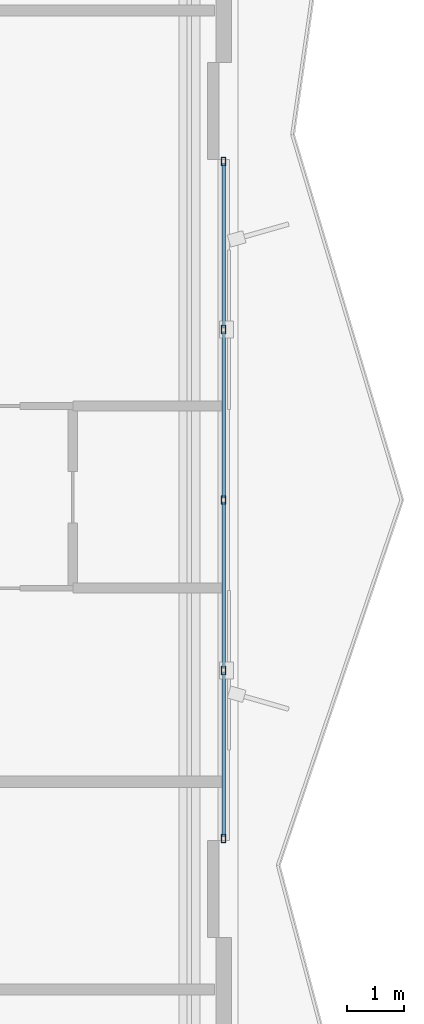
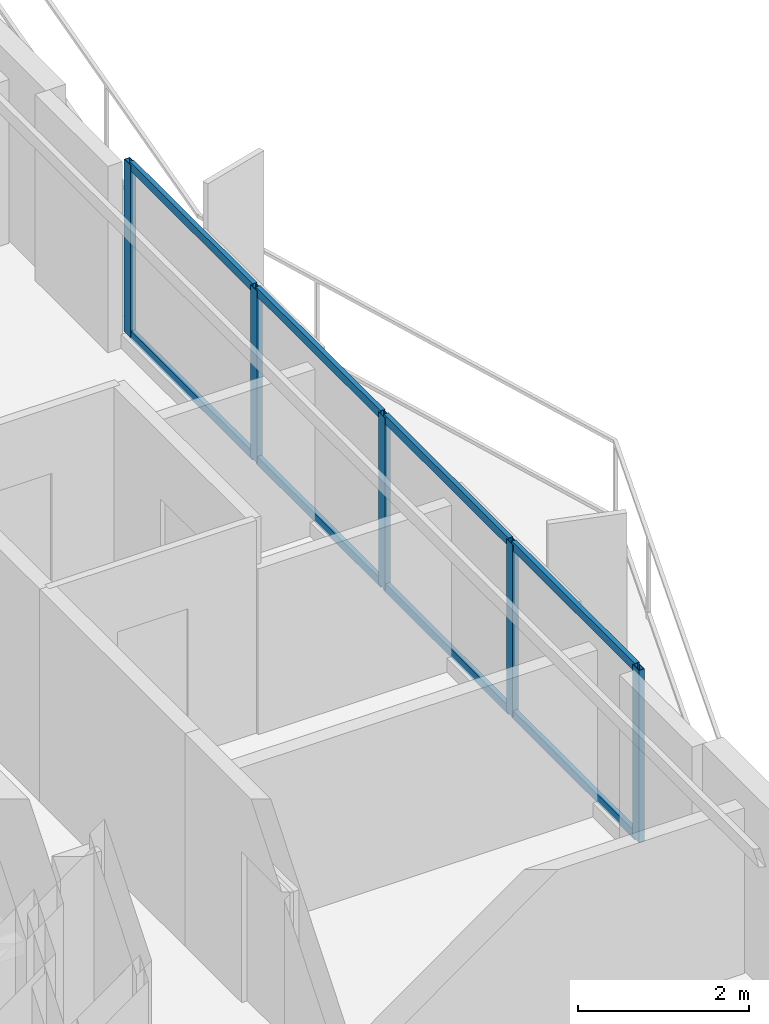
# One storey, part 6 of 18: 13 members, 1 element without a shape of its own.
"""IFC4 building model written with IfcOpenShell, lengths in metres."""

import ifcopenshell
import ifcopenshell.guid

model = None  # the IFC model being written
_history = None  # IfcOwnerHistory: only IFC2X3 demands one
_inside = {}  # id of a spatial element -> (the spatial element, [elements in it])
_under = {}  # id of a project, library or spatial element -> (it, [spatial elements below it])
_declared = {}  # id of a project -> (the project, [libraries it declares])
_typed = {}  # id of a type object -> (the type object, [elements of that type])
_made_of = {}  # id of a material, layer set ... -> (it, [elements and type objects made of it])


def new_model(schema):
    """Start an empty IFC model of exactly this schema.

    Asked for "IFC4X3", IfcOpenShell would pick the latest addendum, in which some entities
    have other attributes; the version numbers below select the first issue.
    IFC2X3 requires an IfcOwnerHistory on every rooted entity: one is made here for all.
    """
    global model, _history
    if schema == "IFC4X3":
        model = ifcopenshell.file(schema_version=(4, 3, 0, 0))
    else:
        model = ifcopenshell.file(schema=schema)
    _inside.clear()
    _under.clear()
    _declared.clear()
    _typed.clear()
    _made_of.clear()
    _history = None
    if model.schema == "IFC2X3":
        org = make("IfcOrganization", Name="unknown")
        user = make(
            "IfcPersonAndOrganization",
            ThePerson=make("IfcPerson", FamilyName="unknown"),
            TheOrganization=org,
        )
        app = make(
            "IfcApplication",
            ApplicationDeveloper=org,
            Version="unknown",
            ApplicationFullName="unknown",
            ApplicationIdentifier="unknown",
        )
        _history = make(
            "IfcOwnerHistory",
            OwningUser=user,
            OwningApplication=app,
            ChangeAction="ADDED",
            CreationDate=0,
        )
    return model


def make(cls, **values):
    """One entity of the class cls with the attributes given. An attribute that is None is left unset."""
    return model.create_entity(
        cls, **{name: value for name, value in values.items() if value is not None}
    )


def rooted(cls, **values):
    """An entity with a GlobalId (a new one), such as an element, a storey or a relation."""
    return make(cls, GlobalId=ifcopenshell.guid.new(), OwnerHistory=_history, **values)


def si_unit(unit_type, name, prefix=None):
    """IfcSIUnit, for example si_unit("LENGTHUNIT", "METRE", prefix="MILLI")."""
    return make("IfcSIUnit", UnitType=unit_type, Prefix=prefix, Name=name)


def assignment(units):
    """IfcUnitAssignment: the units of a project."""
    return None if units is None else make("IfcUnitAssignment", Units=units)


def point(xyz):
    """IfcCartesianPoint."""
    return None if xyz is None else make("IfcCartesianPoint", Coordinates=xyz)


def direction(xyz):
    """IfcDirection."""
    return None if xyz is None else make("IfcDirection", DirectionRatios=xyz)


def frame(location, z_axis=None, x_axis=None):
    """IfcAxis2Placement3D, a coordinate frame: its origin and axes. An axis left out is left unset."""
    return make(
        "IfcAxis2Placement3D",
        Location=point(location),
        Axis=direction(z_axis),
        RefDirection=direction(x_axis),
    )


def frame_2d(location, x_axis=None):
    """IfcAxis2Placement2D, a coordinate frame in the plane: its origin and x axis."""
    return make(
        "IfcAxis2Placement2D", Location=point(location), RefDirection=direction(x_axis)
    )


def origin():
    """The frame at (0, 0, 0) with its axes left unset."""
    return frame((0.0, 0.0, 0.0))


def origin_2d():
    """The frame at (0, 0) in the plane with its x axis left unset."""
    return frame_2d((0.0, 0.0))


def place(relative_to, where):
    """IfcLocalPlacement: puts the frame where relative to a parent placement (None: the world)."""
    return make(
        "IfcLocalPlacement", PlacementRelTo=relative_to, RelativePlacement=where
    )


def context(
    kind, dimensions, precision=None, world=None, true_north=None, identifier=None
):
    """IfcGeometricRepresentationContext, for example the 3D "Model" context."""
    return make(
        "IfcGeometricRepresentationContext",
        ContextIdentifier=identifier,
        ContextType=kind,
        CoordinateSpaceDimension=dimensions,
        Precision=precision,
        WorldCoordinateSystem=world,
        TrueNorth=true_north,
    )


def subcontext(parent, identifier, kind, view, scale=None):
    """IfcGeometricRepresentationSubContext, for example "Body" below "Model"."""
    return make(
        "IfcGeometricRepresentationSubContext",
        ContextIdentifier=identifier,
        ContextType=kind,
        ParentContext=parent,
        TargetScale=scale,
        TargetView=view,
    )


def project(units=None, contexts=None):
    """IfcProject with its units and contexts."""
    return rooted(
        "IfcProject",
        Name="project",
        RepresentationContexts=contexts,
        UnitsInContext=assignment(units),
    )


def spatial(cls, under=None, at=None, **own):
    """A site, building, storey or space (cls), placed at a placement, below another one or the project."""
    s = rooted(cls, ObjectPlacement=at, **own)
    if under is not None:
        _under.setdefault(under.id(), (under, []))[1].append(s)
    return s


def profile(cls, at=None, kind="AREA", **sizes):
    """A parametric profile (cls). Its sizes go by their IFC names, for example OverallWidth=200.0."""
    return make(cls, ProfileType=kind, Position=at, **sizes)


def hollow_rectangle(**sizes):
    """IfcRectangleHollowProfileDef."""
    return profile("IfcRectangleHollowProfileDef", **sizes)


def extrude(swept, where, along, depth):
    """IfcExtrudedAreaSolid: the profile swept, set in the frame where, extruded along a direction by depth."""
    return make(
        "IfcExtrudedAreaSolid",
        SweptArea=swept,
        Position=where,
        ExtrudedDirection=direction(along),
        Depth=depth,
    )


def shape(context_of_items, identifier, shape_type, items):
    """IfcShapeRepresentation: the items that make up one representation, for example the "Body"."""
    return make(
        "IfcShapeRepresentation",
        ContextOfItems=context_of_items,
        RepresentationIdentifier=identifier,
        RepresentationType=shape_type,
        Items=items,
    )


def material(Name=None, Category=None):
    """IfcMaterial."""
    return make("IfcMaterial", Name=Name, Category=Category)


def layer(
    of_material, thickness, ventilated=None, Name=None, Category=None, Priority=None
):
    """IfcMaterialLayer: one layer of a wall or slab, of a material (None: an air gap)."""
    return make(
        "IfcMaterialLayer",
        Material=of_material,
        LayerThickness=thickness,
        IsVentilated=ventilated,
        Name=Name,
        Category=Category,
        Priority=Priority,
    )


def layer_set(layers, Name=None):
    """IfcMaterialLayerSet."""
    return make("IfcMaterialLayerSet", MaterialLayers=layers, LayerSetName=Name)


def material_profile(
    of_material, cross_section, Name=None, Category=None, Priority=None
):
    """IfcMaterialProfile: a cross section and its material."""
    return make(
        "IfcMaterialProfile",
        Name=Name,
        Material=of_material,
        Profile=cross_section,
        Priority=Priority,
        Category=Category,
    )


def profile_set(profiles, Name=None, composite=None):
    """IfcMaterialProfileSet."""
    return make(
        "IfcMaterialProfileSet",
        Name=Name,
        MaterialProfiles=profiles,
        CompositeProfile=composite,
    )


def made_of(thing, what):
    """Note that an element or type object is made of a material, layer set ...; save() writes the relation."""
    if what is not None:
        _made_of.setdefault(what.id(), (what, []))[1].append(thing)
    return thing


def type_object(cls, material=None, **own):
    """A type object (cls), such as IfcWallType, which elements share."""
    return made_of(rooted(cls, **own), material)


def element(
    cls,
    number,
    at=None,
    inside=None,
    cuts=None,
    type_object=None,
    material=None,
    context=None,
    identifier="Body",
    shape_type=None,
    held_by="IfcProductDefinitionShape",
    body=None,
    shapes=None,
    **own,
):
    """One element of the class cls, such as IfcWall. Its Tag is "e" and its number.

    at: its placement. inside: the storey or other place that contains it. cuts: it is an
    opening in that element (IfcRelVoidsElement). A single representation is given by context,
    identifier, shape_type and body (its items); several are given by shapes. held_by: the class
    of the entity that holds the representations. save() writes the other relations.
    """
    e = rooted(cls, Tag="e%d" % number, ObjectPlacement=at, **own)
    if body is not None:
        shapes = [shape(context, identifier, shape_type, body)]
    if shapes is not None:
        e.Representation = make(held_by, Representations=shapes)
    if inside is not None:
        _inside.setdefault(inside.id(), (inside, []))[1].append(e)
    if cuts is not None:
        rooted(
            "IfcRelVoidsElement", RelatingBuildingElement=cuts, RelatedOpeningElement=e
        )
    if type_object is not None:
        _typed.setdefault(type_object.id(), (type_object, []))[1].append(e)
    return made_of(e, material)


def aggregate(whole, parts):
    """IfcRelAggregates: a whole, such as a stair, and the parts it consists of."""
    return rooted("IfcRelAggregates", RelatingObject=whole, RelatedObjects=parts)


def save(model, path):
    """Write the relations noted so far, then the file.

    IfcRelAggregates (storeys below a building ...), IfcRelContainedInSpatialStructure (elements
    in a storey), IfcRelDefinesByType, IfcRelAssociatesMaterial and IfcRelDeclares: one each for
    every whole, place, type object, material and project.
    """
    for whole, parts in _under.values():
        aggregate(whole, parts)
    for where, things in _inside.values():
        rooted(
            "IfcRelContainedInSpatialStructure",
            RelatedElements=things,
            RelatingStructure=where,
        )
    for kind, things in _typed.values():
        rooted("IfcRelDefinesByType", RelatedObjects=things, RelatingType=kind)
    for what, things in _made_of.values():
        rooted("IfcRelAssociatesMaterial", RelatedObjects=things, RelatingMaterial=what)
    for by, libraries in _declared.values():
        rooted("IfcRelDeclares", RelatingContext=by, RelatedDefinitions=libraries)
    model.write(path)


model = new_model("IFC4")

# Units and contexts
model_context = context("Model", 3, precision=1e-05, world=origin(), true_north=direction((0.0, 1.0)))
body_context = subcontext(model_context, "Body", "Model", "MODEL_VIEW")
ifc_project = project(units=[si_unit("LENGTHUNIT", "METRE"), si_unit("AREAUNIT", "SQUARE_METRE"), si_unit("VOLUMEUNIT", "CUBIC_METRE"), si_unit("PLANEANGLEUNIT", "RADIAN"), si_unit("MASSUNIT", "GRAM", prefix="KILO")], contexts=[model_context])

# Site, building, storey
site_placement = place(None, origin())
site = spatial("IfcSite", under=ifc_project, at=site_placement, CompositionType="ELEMENT")
building_placement = place(site_placement, origin())
building = spatial("IfcBuilding", under=site, at=building_placement, Name="Mersakhor Tower and Convention Hall", CompositionType="ELEMENT")
storey_placement = place(building_placement, frame((0.0, 0.0, 52.199951171875)))
storey = spatial("IfcBuildingStorey", under=building, at=storey_placement, Name="L14", CompositionType="ELEMENT", Elevation=52.199951171875)

# Curtain wall, members
ifc_material_1 = material(Name="Dark solar low-E aluminium curtain wall", Category="aluminium")
ifc_layer = layer(ifc_material_1, 0.159912109375)
ifc_layer_set = layer_set([ifc_layer], Name="Dark solar low-E aluminium curtain wall")
curtain_wall_type = type_object("IfcCurtainWallType", Name="CW-SYS-01", PredefinedType="USERDEFINED", material=ifc_layer_set)
curtain_wall_placement = place(storey_placement, origin())
curtain_wall = element("IfcCurtainWall", 1, at=curtain_wall_placement, inside=storey, type_object=curtain_wall_type, Name="L14 Dark-Glass Curtain Wall F2-B2", ObjectType="CURTAIN WALL", PredefinedType="USERDEFINED")
ifc_material_2 = material(Name="Anodised aluminium EN AW-6063 T6", Category="aluminium")
ifc_material_profile_1 = material_profile(ifc_material_2, hollow_rectangle(XDim=0.074951171875, YDim=0.14990234375, WallThickness=0.00634765625, at=origin_2d()), Name="RHS 150x75x6.3")
ifc_profile_set_1 = profile_set([ifc_material_profile_1], Name="Anodised aluminium EN AW-6063 T6")
member_type_1 = type_object("IfcMemberType", Name="CWM-150x75", PredefinedType="MULLION", material=ifc_profile_set_1)
member_1_placement = place(storey_placement, frame((43.85009765625, 32.69921875, 0.199951171875), z_axis=(0.0, 0.0, 1.0), x_axis=(1.0, 0.0, 0.0)))
member_1 = element("IfcMember", 2, at=member_1_placement, type_object=member_type_1, Name="CW-01 mullion 1", PredefinedType="MULLION", context=body_context, shape_type="SweptSolid", body=[
    extrude(hollow_rectangle(XDim=0.074951171875, YDim=0.14990234375, WallThickness=0.00634765625, at=origin_2d()), origin(), (0.0, 0.0, 1.0), 2.460205078125),
])
member_2_placement = place(storey_placement, frame((43.85009765625, 29.743408203125, 0.199951171875), z_axis=(0.0, 0.0, 1.0), x_axis=(1.0, 0.0, 0.0)))
member_2 = element("IfcMember", 3, at=member_2_placement, type_object=member_type_1, Name="CW-01 mullion 2", PredefinedType="MULLION", context=body_context, shape_type="SweptSolid", body=[
    extrude(hollow_rectangle(XDim=0.074951171875, YDim=0.14990234375, WallThickness=0.00634765625, at=origin_2d()), origin(), (0.0, 0.0, 1.0), 2.460205078125),
])
member_3_placement = place(storey_placement, frame((43.85009765625, 26.75, 0.199951171875), z_axis=(0.0, 0.0, 1.0), x_axis=(1.0, 0.0, 0.0)))
member_3 = element("IfcMember", 4, at=member_3_placement, type_object=member_type_1, Name="CW-01 mullion 3", PredefinedType="MULLION", context=body_context, shape_type="SweptSolid", body=[
    extrude(hollow_rectangle(XDim=0.074951171875, YDim=0.14990234375, WallThickness=0.00634765625, at=origin_2d()), origin(), (0.0, 0.0, 1.0), 2.460205078125),
])
member_4_placement = place(storey_placement, frame((43.85009765625, 23.756591796875, 0.199951171875), z_axis=(0.0, 0.0, 1.0), x_axis=(1.0, 0.0, 0.0)))
member_4 = element("IfcMember", 5, at=member_4_placement, type_object=member_type_1, Name="CW-01 mullion 4", PredefinedType="MULLION", context=body_context, shape_type="SweptSolid", body=[
    extrude(hollow_rectangle(XDim=0.074951171875, YDim=0.14990234375, WallThickness=0.00634765625, at=origin_2d()), origin(), (0.0, 0.0, 1.0), 2.460205078125),
])
member_5_placement = place(storey_placement, frame((43.85009765625, 20.80078125, 0.199951171875), z_axis=(0.0, 0.0, 1.0), x_axis=(1.0, 0.0, 0.0)))
member_5 = element("IfcMember", 6, at=member_5_placement, type_object=member_type_1, Name="CW-01 mullion 5", PredefinedType="MULLION", context=body_context, shape_type="SweptSolid", body=[
    extrude(hollow_rectangle(XDim=0.074951171875, YDim=0.14990234375, WallThickness=0.00634765625, at=origin_2d()), origin(), (0.0, 0.0, 1.0), 2.460205078125),
])
ifc_material_3 = material(Name="Anodised aluminium EN AW-6063 T6", Category="aluminium")
ifc_material_profile_2 = material_profile(ifc_material_3, hollow_rectangle(XDim=0.06005859375, YDim=0.1201171875, WallThickness=0.0048828125, at=origin_2d()), Name="RHS 120x60x5")
ifc_profile_set_2 = profile_set([ifc_material_profile_2], Name="Anodised aluminium EN AW-6063 T6")
member_type_2 = type_object("IfcMemberType", Name="CWT-120x60", PredefinedType="USERDEFINED", material=ifc_profile_set_2)
member_6_placement = place(storey_placement, frame((43.85009765625, 32.66162109375, 0.22998046875), z_axis=(0.0, -1.0, 0.0), x_axis=(1.0, 0.0, 0.0)))
member_6 = element("IfcMember", 7, at=member_6_placement, type_object=member_type_2, Name="CW-01 transom 1.1", ObjectType="TRANSOM", PredefinedType="USERDEFINED", context=body_context, shape_type="SweptSolid", body=[
    extrude(hollow_rectangle(XDim=0.06005859375, YDim=0.1201171875, WallThickness=0.0048828125, at=origin_2d()), origin(), (0.0, 0.0, 1.0), 2.880859375),
])
member_7_placement = place(storey_placement, frame((43.85009765625, 32.66162109375, 2.630126953125), z_axis=(0.0, -1.0, 0.0), x_axis=(1.0, 0.0, 0.0)))
member_7 = element("IfcMember", 8, at=member_7_placement, type_object=member_type_2, Name="CW-01 transom 1.2", ObjectType="TRANSOM", PredefinedType="USERDEFINED", context=body_context, shape_type="SweptSolid", body=[
    extrude(hollow_rectangle(XDim=0.06005859375, YDim=0.1201171875, WallThickness=0.0048828125, at=origin_2d()), origin(), (0.0, 0.0, 1.0), 2.880859375),
])
member_8_placement = place(storey_placement, frame((43.85009765625, 29.705810546875, 0.22998046875), z_axis=(0.0, -1.0, 0.0), x_axis=(1.0, 0.0, 0.0)))
member_8 = element("IfcMember", 9, at=member_8_placement, type_object=member_type_2, Name="CW-01 transom 2.1", ObjectType="TRANSOM", PredefinedType="USERDEFINED", context=body_context, shape_type="SweptSolid", body=[
    extrude(hollow_rectangle(XDim=0.06005859375, YDim=0.1201171875, WallThickness=0.0048828125, at=origin_2d()), origin(), (0.0, 0.0, 1.0), 2.918212890625),
])
member_9_placement = place(storey_placement, frame((43.85009765625, 29.705810546875, 2.630126953125), z_axis=(0.0, -1.0, 0.0), x_axis=(1.0, 0.0, 0.0)))
member_9 = element("IfcMember", 10, at=member_9_placement, type_object=member_type_2, Name="CW-01 transom 2.2", ObjectType="TRANSOM", PredefinedType="USERDEFINED", context=body_context, shape_type="SweptSolid", body=[
    extrude(hollow_rectangle(XDim=0.06005859375, YDim=0.1201171875, WallThickness=0.0048828125, at=origin_2d()), origin(), (0.0, 0.0, 1.0), 2.918212890625),
])
member_10_placement = place(storey_placement, frame((43.85009765625, 26.71240234375, 0.22998046875), z_axis=(0.0, -1.0, 0.0), x_axis=(1.0, 0.0, 0.0)))
member_10 = element("IfcMember", 11, at=member_10_placement, type_object=member_type_2, Name="CW-01 transom 3.1", ObjectType="TRANSOM", PredefinedType="USERDEFINED", context=body_context, shape_type="SweptSolid", body=[
    extrude(hollow_rectangle(XDim=0.06005859375, YDim=0.1201171875, WallThickness=0.0048828125, at=origin_2d()), origin(), (0.0, 0.0, 1.0), 2.918212890625),
])
member_11_placement = place(storey_placement, frame((43.85009765625, 26.71240234375, 2.630126953125), z_axis=(0.0, -1.0, 0.0), x_axis=(1.0, 0.0, 0.0)))
member_11 = element("IfcMember", 12, at=member_11_placement, type_object=member_type_2, Name="CW-01 transom 3.2", ObjectType="TRANSOM", PredefinedType="USERDEFINED", context=body_context, shape_type="SweptSolid", body=[
    extrude(hollow_rectangle(XDim=0.06005859375, YDim=0.1201171875, WallThickness=0.0048828125, at=origin_2d()), origin(), (0.0, 0.0, 1.0), 2.918212890625),
])
member_12_placement = place(storey_placement, frame((43.85009765625, 23.71923828125, 0.22998046875), z_axis=(0.0, -1.0, 0.0), x_axis=(1.0, 0.0, 0.0)))
member_12 = element("IfcMember", 13, at=member_12_placement, type_object=member_type_2, Name="CW-01 transom 4.1", ObjectType="TRANSOM", PredefinedType="USERDEFINED", context=body_context, shape_type="SweptSolid", body=[
    extrude(hollow_rectangle(XDim=0.06005859375, YDim=0.1201171875, WallThickness=0.0048828125, at=origin_2d()), origin(), (0.0, 0.0, 1.0), 2.880859375),
])
member_13_placement = place(storey_placement, frame((43.85009765625, 23.71923828125, 2.630126953125), z_axis=(0.0, -1.0, 0.0), x_axis=(1.0, 0.0, 0.0)))
member_13 = element("IfcMember", 14, at=member_13_placement, type_object=member_type_2, Name="CW-01 transom 4.2", ObjectType="TRANSOM", PredefinedType="USERDEFINED", context=body_context, shape_type="SweptSolid", body=[
    extrude(hollow_rectangle(XDim=0.06005859375, YDim=0.1201171875, WallThickness=0.0048828125, at=origin_2d()), origin(), (0.0, 0.0, 1.0), 2.880859375),
])
aggregate(curtain_wall, [member_1, member_2, member_3, member_4, member_5, member_6, member_7, member_8, member_9, member_10, member_11, member_12, member_13])

save(model, "model.ifc")
